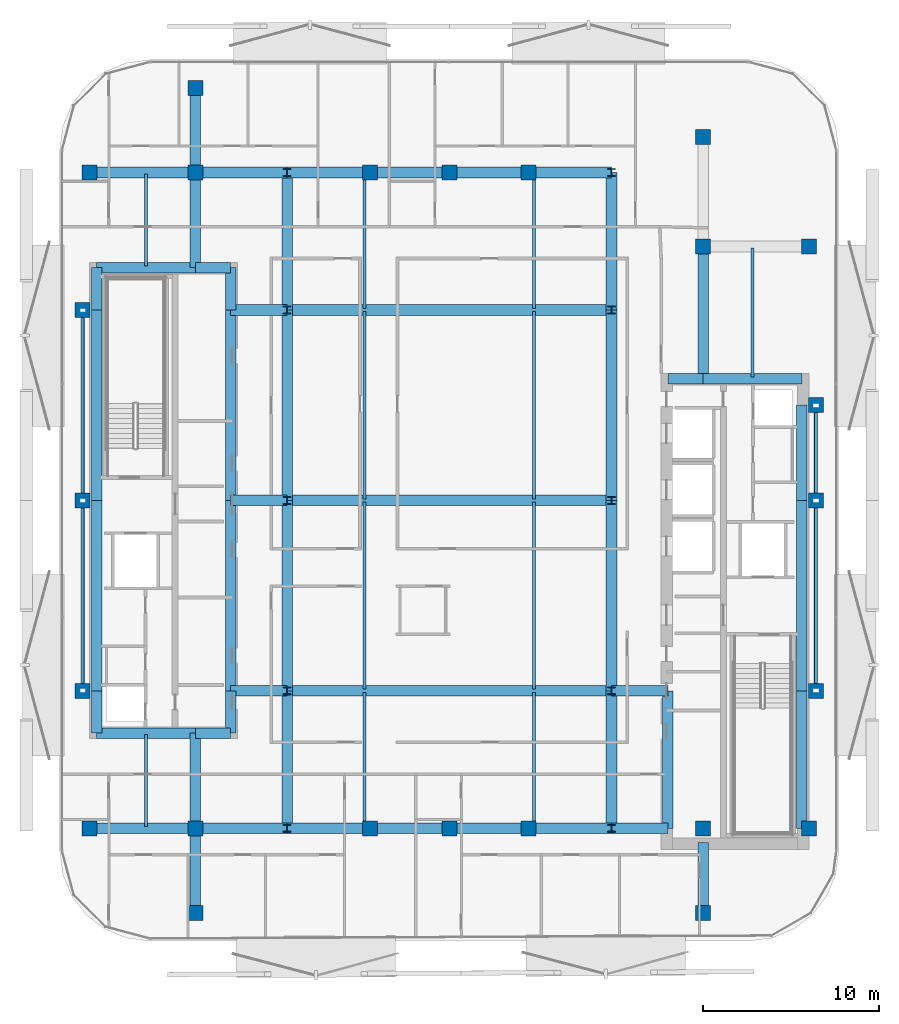
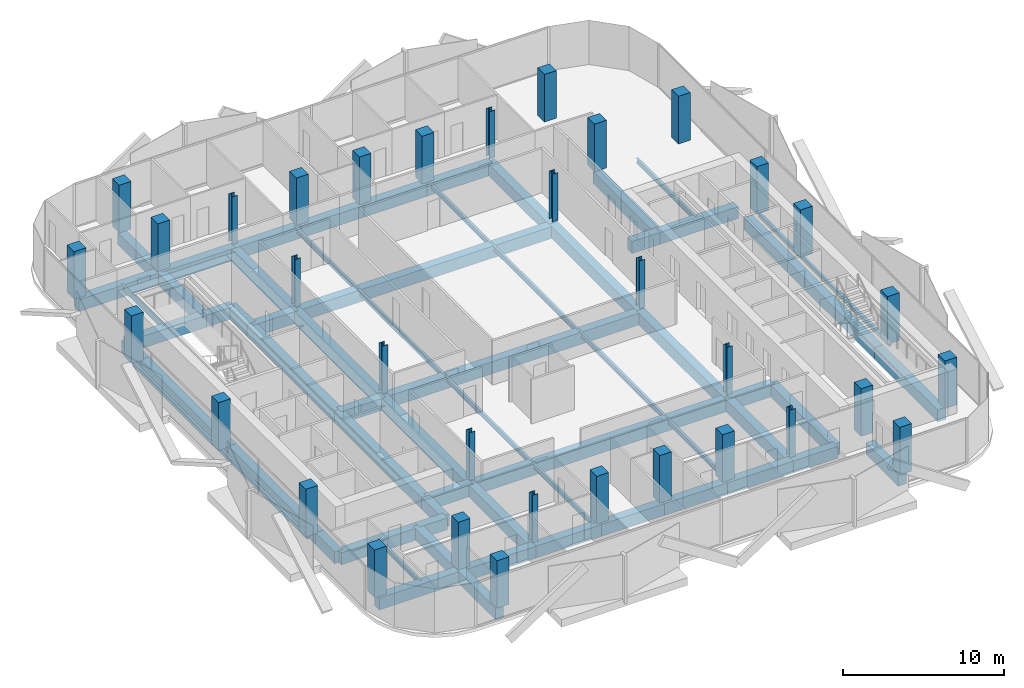
# One storey, part 1 of 14: 67 beams, 34 columns.
"""IFC4 building model written with IfcOpenShell, lengths in metres."""

from ifc_helpers import new_model, si_unit, direction, frame, origin, origin_2d, place, context, subcontext, project, spatial, rectangle, hollow_rectangle, i_section, extrude, material, material_profile, profile_set, type_object, element, save


model = new_model("IFC4")

# Units and contexts
model_context = context("Model", 3, precision=1e-05, world=origin(), true_north=direction((0.0, 1.0)))
body_context = subcontext(model_context, "Body", "Model", "MODEL_VIEW")
ifc_project = project(units=[si_unit("LENGTHUNIT", "METRE"), si_unit("AREAUNIT", "SQUARE_METRE"), si_unit("VOLUMEUNIT", "CUBIC_METRE"), si_unit("PLANEANGLEUNIT", "RADIAN"), si_unit("MASSUNIT", "GRAM", prefix="KILO")], contexts=[model_context])

# Site, building, storey
site_placement = place(None, origin())
site = spatial("IfcSite", under=ifc_project, at=site_placement, CompositionType="ELEMENT")
building_placement = place(site_placement, origin())
building = spatial("IfcBuilding", under=site, at=building_placement, Name="Khairoan Windgate Tower", CompositionType="ELEMENT")
storey_placement = place(building_placement, frame((0.0, 0.0, 233.199951171875)))
storey = spatial("IfcBuildingStorey", under=building, at=storey_placement, Name="L54", CompositionType="ELEMENT", Elevation=233.199951171875)

# Columns
ifc_material_1 = material(Name="Concrete C50/60", Category="concrete")
ifc_material_profile_1 = material_profile(ifc_material_1, rectangle(XDim=0.85009765625, YDim=0.85009765625, at=origin_2d()))
ifc_profile_set_1 = profile_set([ifc_material_profile_1], Name="Concrete C50/60")
column_type_1 = type_object("IfcColumnType", Name="Column C-T5 RC850x850", PredefinedType="COLUMN", material=ifc_profile_set_1)
for number, where, z_axis, x_axis, name in (
    (1, (-20.39990234375, -18.60009765625, 0.0), (0.0, 0.0, 1.0), (1.0, 0.0, 0.0), "Column L54-11"),
    (2, (-20.39990234375, 18.60009765625, 0.0), (0.0, 0.0, 1.0), (1.0, 0.0, 0.0), "Column L54-12"),
    (3, (20.39990234375, -18.60009765625, 0.0), (0.0, 0.0, 1.0), (1.0, 0.0, 0.0), "Column L54-13"),
    (4, (20.39990234375, 14.39990234375, 0.0), (0.0, 0.0, 1.0), (1.0, 0.0, 0.0), "Column L54-14"),
    (5, (-14.39990234375, -18.60009765625, 0.0), (0.0, 0.0, 1.0), (1.0, 0.0, 0.0), "Column L54-15"),
    (6, (-14.39990234375, 18.60009765625, 0.0), (0.0, 0.0, 1.0), (1.0, 0.0, 0.0), "Column L54-16"),
    (7, (14.39990234375, -18.60009765625, 0.0), (0.0, 0.0, 1.0), (1.0, 0.0, 0.0), "Column L54-17"),
    (8, (14.39990234375, 14.39990234375, 0.0), (0.0, 0.0, 1.0), (1.0, 0.0, 0.0), "Column L54-18"),
    (9, (-4.5, -18.60009765625, 0.0), (0.0, 0.0, 1.0), (1.0, 0.0, 0.0), "Column L54-19"),
    (10, (0.0, -18.60009765625, 0.0), (0.0, 0.0, 1.0), (1.0, 0.0, 0.0), "Column L54-20"),
    (11, (4.5, -18.60009765625, 0.0), (0.0, 0.0, 1.0), (1.0, 0.0, 0.0), "Column L54-21"),
    (12, (-4.5, 18.60009765625, 0.0), (0.0, 0.0, 1.0), (1.0, 0.0, 0.0), "Column L54-22"),
    (13, (0.0, 18.60009765625, 0.0), (0.0, 0.0, 1.0), (1.0, 0.0, 0.0), "Column L54-23"),
    (14, (4.5, 18.60009765625, 0.0), (0.0, 0.0, 1.0), (1.0, 0.0, 0.0), "Column L54-24"),
    (15, (-20.800048828125, -10.800048828125, 0.0), (0.0, 0.0, 1.0), (1.0, 0.0, 0.0), "Column L54-25"),
    (16, (-20.800048828125, 0.0, 0.0), (0.0, 0.0, 1.0), (1.0, 0.0, 0.0), "Column L54-26"),
    (17, (-20.800048828125, 10.800048828125, 0.0), (0.0, 0.0, 1.0), (1.0, 0.0, 0.0), "Column L54-27"),
    (18, (20.800048828125, -10.800048828125, 0.0), (0.0, 0.0, 1.0), (1.0, 0.0, 0.0), "Column L54-28"),
    (19, (20.800048828125, 0.0, 0.0), (0.0, 0.0, 1.0), (1.0, 0.0, 0.0), "Column L54-29"),
    (20, (20.800048828125, 5.39990234375, 0.0), (0.0, 0.0, 1.0), (1.0, 0.0, 0.0), "Column L54-30"),
    (21, (-14.39990234375, -23.39990234375, 0.0), (0.0, 0.0, 1.0), (1.0, 0.0, 0.0), "Column L54-31"),
    (22, (-14.39990234375, 23.39990234375, 0.0), (0.0, 0.0, 1.0), (1.0, 0.0, 0.0), "Column L54-32"),
    (23, (14.39990234375, -23.39990234375, 0.0), (0.0, 0.0, 1.0), (1.0, 0.0, 0.0), "Column L54-33"),
    (24, (14.39990234375, 20.60009765625, 0.0), (0.0, 0.0, 1.0), (1.0, 0.0, 0.0), "Column L54-34"),
):
    element("IfcColumn", number, at=place(storey_placement, frame(where, z_axis=z_axis, x_axis=x_axis)), inside=storey, type_object=column_type_1, Name=name, PredefinedType="COLUMN", context=body_context, shape_type="SweptSolid", body=[
        extrude(rectangle(XDim=0.85009765625, YDim=0.85009765625, at=origin_2d()), origin(), (0.0, 0.0, 1.0), 3.60009765625),
    ])
ifc_material_2 = material(Name="Steel S355", Category="steel")
ifc_material_profile_2 = material_profile(ifc_material_2, i_section(OverallWidth=0.406982421875, OverallDepth=0.427978515625, WebThickness=0.02001953125, FlangeThickness=0.034912109375, FilletRadius=0.02197265625, at=origin_2d()))
ifc_profile_set_2 = profile_set([ifc_material_profile_2], Name="Steel S355")
column_type_2 = type_object("IfcColumnType", Name="Steel Column SC3 H428x407x20x35", PredefinedType="COLUMN", material=ifc_profile_set_2)
for number, where, z_axis, x_axis, name in (
    (25, (-9.199951171875, -18.60009765625, 0.0), (0.0, 0.0, 1.0), (1.0, 0.0, 0.0), "Column L54-01"),
    (26, (-9.199951171875, -10.800048828125, 0.0), (0.0, 0.0, 1.0), (1.0, 0.0, 0.0), "Column L54-02"),
    (27, (-9.199951171875, 0.0, 0.0), (0.0, 0.0, 1.0), (1.0, 0.0, 0.0), "Column L54-03"),
    (28, (-9.199951171875, 10.800048828125, 0.0), (0.0, 0.0, 1.0), (1.0, 0.0, 0.0), "Column L54-04"),
    (29, (-9.199951171875, 18.60009765625, 0.0), (0.0, 0.0, 1.0), (1.0, 0.0, 0.0), "Column L54-05"),
    (30, (9.199951171875, -18.60009765625, 0.0), (0.0, 0.0, 1.0), (1.0, 0.0, 0.0), "Column L54-06"),
    (31, (9.199951171875, -10.800048828125, 0.0), (0.0, 0.0, 1.0), (1.0, 0.0, 0.0), "Column L54-07"),
    (32, (9.199951171875, 0.0, 0.0), (0.0, 0.0, 1.0), (1.0, 0.0, 0.0), "Column L54-08"),
    (33, (9.199951171875, 10.800048828125, 0.0), (0.0, 0.0, 1.0), (1.0, 0.0, 0.0), "Column L54-09"),
    (34, (9.199951171875, 18.60009765625, 0.0), (0.0, 0.0, 1.0), (1.0, 0.0, 0.0), "Column L54-10"),
):
    element("IfcColumn", number, at=place(storey_placement, frame(where, z_axis=z_axis, x_axis=x_axis)), inside=storey, type_object=column_type_2, Name=name, PredefinedType="COLUMN", context=body_context, shape_type="SweptSolid", body=[
        extrude(i_section(OverallWidth=0.406982421875, OverallDepth=0.427978515625, WebThickness=0.02001953125, FlangeThickness=0.034912109375, FilletRadius=0.02197265625, at=origin_2d()), origin(), (0.0, 0.0, 1.0), 3.60009765625),
    ])

# Beams
ifc_material_3 = material(Name="Concrete C50/60", Category="concrete")
ifc_material_profile_3 = material_profile(ifc_material_3, rectangle(XDim=0.60009765625, YDim=0.89990234375, at=origin_2d()))
ifc_profile_set_3 = profile_set([ifc_material_profile_3], Name="Concrete C50/60")
beam_type_1 = type_object("IfcBeamType", Name="Beam B-RC1 RC600x900", PredefinedType="BEAM", material=ifc_profile_set_3)
beam_1_placement = place(storey_placement, frame((-20.39990234375, -18.60009765625, -0.7099609375), z_axis=(1.0, 0.0, 0.0), x_axis=(0.0, 1.0, 0.0)))
element("IfcBeam", 35, at=beam_1_placement, inside=storey, type_object=beam_type_1, Name="L54 E-W Primary Girder 01", PredefinedType="BEAM", context=body_context, shape_type="SweptSolid", body=[
    extrude(rectangle(XDim=0.60009765625, YDim=0.89990234375, at=origin_2d()), origin(), (0.0, 0.0, 1.0), 6.0),
])
beam_2_placement = place(storey_placement, frame((-14.39990234375, -18.60009765625, -0.7099609375), z_axis=(1.0, 0.0, 0.0), x_axis=(0.0, 1.0, 0.0)))
element("IfcBeam", 36, at=beam_2_placement, inside=storey, type_object=beam_type_1, Name="L54 E-W Primary Girder 02", PredefinedType="BEAM", context=body_context, shape_type="SweptSolid", body=[
    extrude(rectangle(XDim=0.60009765625, YDim=0.89990234375, at=origin_2d()), origin(), (0.0, 0.0, 1.0), 5.199951171875),
])
beam_3_placement = place(storey_placement, frame((-9.199951171875, -18.60009765625, -0.7099609375), z_axis=(1.0, 0.0, 0.0), x_axis=(0.0, 1.0, 0.0)))
element("IfcBeam", 37, at=beam_3_placement, inside=storey, type_object=beam_type_1, Name="L54 E-W Primary Girder 03", PredefinedType="BEAM", context=body_context, shape_type="SweptSolid", body=[
    extrude(rectangle(XDim=0.60009765625, YDim=0.89990234375, at=origin_2d()), origin(), (0.0, 0.0, 1.0), 4.699951171875),
])
for number, where, z_axis, x_axis, name in (
    (38, (-4.5, -18.60009765625, -0.7099609375), (1.0, 0.0, 0.0), (0.0, 1.0, 0.0), "L54 E-W Primary Girder 04"),
    (39, (0.0, -18.60009765625, -0.7099609375), (1.0, 0.0, 0.0), (0.0, 1.0, 0.0), "L54 E-W Primary Girder 05"),
):
    element("IfcBeam", number, at=place(storey_placement, frame(where, z_axis=z_axis, x_axis=x_axis)), inside=storey, type_object=beam_type_1, Name=name, PredefinedType="BEAM", context=body_context, shape_type="SweptSolid", body=[
        extrude(rectangle(XDim=0.60009765625, YDim=0.89990234375, at=origin_2d()), origin(), (0.0, 0.0, 1.0), 4.5),
    ])
beam_4_placement = place(storey_placement, frame((4.5, -18.60009765625, -0.7099609375), z_axis=(1.0, 0.0, 0.0), x_axis=(0.0, 1.0, 0.0)))
element("IfcBeam", 40, at=beam_4_placement, inside=storey, type_object=beam_type_1, Name="L54 E-W Primary Girder 06", PredefinedType="BEAM", context=body_context, shape_type="SweptSolid", body=[
    extrude(rectangle(XDim=0.60009765625, YDim=0.89990234375, at=origin_2d()), origin(), (0.0, 0.0, 1.0), 4.699951171875),
])
beam_5_placement = place(storey_placement, frame((9.199951171875, -18.60009765625, -0.7099609375), z_axis=(1.0, 0.0, 0.0), x_axis=(0.0, 1.0, 0.0)))
element("IfcBeam", 41, at=beam_5_placement, inside=storey, type_object=beam_type_1, Name="L54 E-W Primary Girder 07", PredefinedType="BEAM", context=body_context, shape_type="SweptSolid", body=[
    extrude(rectangle(XDim=0.60009765625, YDim=0.89990234375, at=origin_2d()), origin(), (0.0, 0.0, 1.0), 3.199951171875),
])
beam_6_placement = place(storey_placement, frame((-20.0, -13.199951171875, -0.7099609375), z_axis=(1.0, 0.0, 0.0), x_axis=(0.0, 1.0, 0.0)))
element("IfcBeam", 42, at=beam_6_placement, inside=storey, type_object=beam_type_1, Name="L54 E-W Primary Girder 08", PredefinedType="BEAM", context=body_context, shape_type="SweptSolid", body=[
    extrude(rectangle(XDim=0.60009765625, YDim=0.89990234375, at=origin_2d()), origin(), (0.0, 0.0, 1.0), 5.60009765625),
])
beam_7_placement = place(storey_placement, frame((-14.39990234375, -13.199951171875, -0.7099609375), z_axis=(1.0, 0.0, 0.0), x_axis=(0.0, 1.0, 0.0)))
element("IfcBeam", 43, at=beam_7_placement, inside=storey, type_object=beam_type_1, Name="L54 E-W Primary Girder 09", PredefinedType="BEAM", context=body_context, shape_type="SweptSolid", body=[
    extrude(rectangle(XDim=0.60009765625, YDim=0.89990234375, at=origin_2d()), origin(), (0.0, 0.0, 1.0), 2.0),
])
beam_8_placement = place(storey_placement, frame((-12.39990234375, -10.800048828125, -0.7099609375), z_axis=(1.0, 0.0, 0.0), x_axis=(0.0, 1.0, 0.0)))
element("IfcBeam", 44, at=beam_8_placement, inside=storey, type_object=beam_type_1, Name="L54 E-W Primary Girder 10", PredefinedType="BEAM", context=body_context, shape_type="SweptSolid", body=[
    extrude(rectangle(XDim=0.60009765625, YDim=0.89990234375, at=origin_2d()), origin(), (0.0, 0.0, 1.0), 3.199951171875),
])
beam_9_placement = place(storey_placement, frame((-9.199951171875, -10.800048828125, -0.7099609375), z_axis=(1.0, 0.0, 0.0), x_axis=(0.0, 1.0, 0.0)))
element("IfcBeam", 45, at=beam_9_placement, inside=storey, type_object=beam_type_1, Name="L54 E-W Primary Girder 11", PredefinedType="BEAM", context=body_context, shape_type="SweptSolid", body=[
    extrude(rectangle(XDim=0.60009765625, YDim=0.89990234375, at=origin_2d()), origin(), (0.0, 0.0, 1.0), 18.39990234375),
])
for number, where, z_axis, x_axis, name in (
    (46, (9.199951171875, -10.800048828125, -0.7099609375), (1.0, 0.0, 0.0), (0.0, 1.0, 0.0), "L54 E-W Primary Girder 12"),
    (47, (-12.39990234375, 0.0, -0.7099609375), (1.0, 0.0, 0.0), (0.0, 1.0, 0.0), "L54 E-W Primary Girder 13"),
):
    element("IfcBeam", number, at=place(storey_placement, frame(where, z_axis=z_axis, x_axis=x_axis)), inside=storey, type_object=beam_type_1, Name=name, PredefinedType="BEAM", context=body_context, shape_type="SweptSolid", body=[
        extrude(rectangle(XDim=0.60009765625, YDim=0.89990234375, at=origin_2d()), origin(), (0.0, 0.0, 1.0), 3.199951171875),
    ])
beam_10_placement = place(storey_placement, frame((-9.199951171875, 0.0, -0.7099609375), z_axis=(1.0, 0.0, 0.0), x_axis=(0.0, 1.0, 0.0)))
element("IfcBeam", 48, at=beam_10_placement, inside=storey, type_object=beam_type_1, Name="L54 E-W Primary Girder 14", PredefinedType="BEAM", context=body_context, shape_type="SweptSolid", body=[
    extrude(rectangle(XDim=0.60009765625, YDim=0.89990234375, at=origin_2d()), origin(), (0.0, 0.0, 1.0), 18.39990234375),
])
beam_11_placement = place(storey_placement, frame((12.39990234375, 6.89990234375, -0.7099609375), z_axis=(1.0, 0.0, 0.0), x_axis=(0.0, 1.0, 0.0)))
element("IfcBeam", 49, at=beam_11_placement, inside=storey, type_object=beam_type_1, Name="L54 E-W Primary Girder 15", PredefinedType="BEAM", context=body_context, shape_type="SweptSolid", body=[
    extrude(rectangle(XDim=0.60009765625, YDim=0.89990234375, at=origin_2d()), origin(), (0.0, 0.0, 1.0), 2.0),
])
beam_12_placement = place(storey_placement, frame((14.39990234375, 6.89990234375, -0.7099609375), z_axis=(1.0, 0.0, 0.0), x_axis=(0.0, 1.0, 0.0)))
element("IfcBeam", 50, at=beam_12_placement, inside=storey, type_object=beam_type_1, Name="L54 E-W Primary Girder 16", PredefinedType="BEAM", context=body_context, shape_type="SweptSolid", body=[
    extrude(rectangle(XDim=0.60009765625, YDim=0.89990234375, at=origin_2d()), origin(), (0.0, 0.0, 1.0), 5.60009765625),
])
beam_13_placement = place(storey_placement, frame((-12.39990234375, 10.800048828125, -0.7099609375), z_axis=(1.0, 0.0, 0.0), x_axis=(0.0, 1.0, 0.0)))
element("IfcBeam", 51, at=beam_13_placement, inside=storey, type_object=beam_type_1, Name="L54 E-W Primary Girder 17", PredefinedType="BEAM", context=body_context, shape_type="SweptSolid", body=[
    extrude(rectangle(XDim=0.60009765625, YDim=0.89990234375, at=origin_2d()), origin(), (0.0, 0.0, 1.0), 3.199951171875),
])
beam_14_placement = place(storey_placement, frame((-9.199951171875, 10.800048828125, -0.7099609375), z_axis=(1.0, 0.0, 0.0), x_axis=(0.0, 1.0, 0.0)))
element("IfcBeam", 52, at=beam_14_placement, inside=storey, type_object=beam_type_1, Name="L54 E-W Primary Girder 18", PredefinedType="BEAM", context=body_context, shape_type="SweptSolid", body=[
    extrude(rectangle(XDim=0.60009765625, YDim=0.89990234375, at=origin_2d()), origin(), (0.0, 0.0, 1.0), 18.39990234375),
])
beam_15_placement = place(storey_placement, frame((-20.0, 13.199951171875, -0.7099609375), z_axis=(1.0, 0.0, 0.0), x_axis=(0.0, 1.0, 0.0)))
element("IfcBeam", 53, at=beam_15_placement, inside=storey, type_object=beam_type_1, Name="L54 E-W Primary Girder 19", PredefinedType="BEAM", context=body_context, shape_type="SweptSolid", body=[
    extrude(rectangle(XDim=0.60009765625, YDim=0.89990234375, at=origin_2d()), origin(), (0.0, 0.0, 1.0), 5.60009765625),
])
beam_16_placement = place(storey_placement, frame((-14.39990234375, 13.199951171875, -0.7099609375), z_axis=(1.0, 0.0, 0.0), x_axis=(0.0, 1.0, 0.0)))
element("IfcBeam", 54, at=beam_16_placement, inside=storey, type_object=beam_type_1, Name="L54 E-W Primary Girder 20", PredefinedType="BEAM", context=body_context, shape_type="SweptSolid", body=[
    extrude(rectangle(XDim=0.60009765625, YDim=0.89990234375, at=origin_2d()), origin(), (0.0, 0.0, 1.0), 2.0),
])
beam_17_placement = place(storey_placement, frame((-20.39990234375, 18.60009765625, -0.7099609375), z_axis=(1.0, 0.0, 0.0), x_axis=(0.0, 1.0, 0.0)))
element("IfcBeam", 55, at=beam_17_placement, inside=storey, type_object=beam_type_1, Name="L54 E-W Primary Girder 22", PredefinedType="BEAM", context=body_context, shape_type="SweptSolid", body=[
    extrude(rectangle(XDim=0.60009765625, YDim=0.89990234375, at=origin_2d()), origin(), (0.0, 0.0, 1.0), 6.0),
])
beam_18_placement = place(storey_placement, frame((-14.39990234375, 18.60009765625, -0.7099609375), z_axis=(1.0, 0.0, 0.0), x_axis=(0.0, 1.0, 0.0)))
element("IfcBeam", 56, at=beam_18_placement, inside=storey, type_object=beam_type_1, Name="L54 E-W Primary Girder 23", PredefinedType="BEAM", context=body_context, shape_type="SweptSolid", body=[
    extrude(rectangle(XDim=0.60009765625, YDim=0.89990234375, at=origin_2d()), origin(), (0.0, 0.0, 1.0), 5.199951171875),
])
beam_19_placement = place(storey_placement, frame((-9.199951171875, 18.60009765625, -0.7099609375), z_axis=(1.0, 0.0, 0.0), x_axis=(0.0, 1.0, 0.0)))
element("IfcBeam", 57, at=beam_19_placement, inside=storey, type_object=beam_type_1, Name="L54 E-W Primary Girder 24", PredefinedType="BEAM", context=body_context, shape_type="SweptSolid", body=[
    extrude(rectangle(XDim=0.60009765625, YDim=0.89990234375, at=origin_2d()), origin(), (0.0, 0.0, 1.0), 4.699951171875),
])
for number, where, z_axis, x_axis, name in (
    (58, (-4.5, 18.60009765625, -0.7099609375), (1.0, 0.0, 0.0), (0.0, 1.0, 0.0), "L54 E-W Primary Girder 25"),
    (59, (0.0, 18.60009765625, -0.7099609375), (1.0, 0.0, 0.0), (0.0, 1.0, 0.0), "L54 E-W Primary Girder 26"),
):
    element("IfcBeam", number, at=place(storey_placement, frame(where, z_axis=z_axis, x_axis=x_axis)), inside=storey, type_object=beam_type_1, Name=name, PredefinedType="BEAM", context=body_context, shape_type="SweptSolid", body=[
        extrude(rectangle(XDim=0.60009765625, YDim=0.89990234375, at=origin_2d()), origin(), (0.0, 0.0, 1.0), 4.5),
    ])
beam_20_placement = place(storey_placement, frame((4.5, 18.60009765625, -0.7099609375), z_axis=(1.0, 0.0, 0.0), x_axis=(0.0, 1.0, 0.0)))
element("IfcBeam", 60, at=beam_20_placement, inside=storey, type_object=beam_type_1, Name="L54 E-W Primary Girder 27", PredefinedType="BEAM", context=body_context, shape_type="SweptSolid", body=[
    extrude(rectangle(XDim=0.60009765625, YDim=0.89990234375, at=origin_2d()), origin(), (0.0, 0.0, 1.0), 4.699951171875),
])
beam_21_placement = place(storey_placement, frame((-20.0, -13.199951171875, -0.7099609375), z_axis=(0.0, 1.0, 0.0), x_axis=(-1.0, 0.0, 0.0)))
element("IfcBeam", 61, at=beam_21_placement, inside=storey, type_object=beam_type_1, Name="L54 N-S Primary Beam 30", PredefinedType="BEAM", context=body_context, shape_type="SweptSolid", body=[
    extrude(rectangle(XDim=0.60009765625, YDim=0.89990234375, at=origin_2d()), origin(), (0.0, 0.0, 1.0), 2.39990234375),
])
for number, where, z_axis, x_axis, name in (
    (62, (-20.0, -10.800048828125, -0.7099609375), (0.0, 1.0, 0.0), (-1.0, 0.0, 0.0), "L54 N-S Primary Beam 31"),
    (63, (-20.0, 0.0, -0.7099609375), (0.0, 1.0, 0.0), (-1.0, 0.0, 0.0), "L54 N-S Primary Beam 32"),
):
    element("IfcBeam", number, at=place(storey_placement, frame(where, z_axis=z_axis, x_axis=x_axis)), inside=storey, type_object=beam_type_1, Name=name, PredefinedType="BEAM", context=body_context, shape_type="SweptSolid", body=[
        extrude(rectangle(XDim=0.60009765625, YDim=0.89990234375, at=origin_2d()), origin(), (0.0, 0.0, 1.0), 10.800048828125),
    ])
beam_22_placement = place(storey_placement, frame((-20.0, 10.800048828125, -0.7099609375), z_axis=(0.0, 1.0, 0.0), x_axis=(-1.0, 0.0, 0.0)))
element("IfcBeam", 64, at=beam_22_placement, inside=storey, type_object=beam_type_1, Name="L54 N-S Primary Beam 33", PredefinedType="BEAM", context=body_context, shape_type="SweptSolid", body=[
    extrude(rectangle(XDim=0.60009765625, YDim=0.89990234375, at=origin_2d()), origin(), (0.0, 0.0, 1.0), 2.39990234375),
])
beam_23_placement = place(storey_placement, frame((-14.39990234375, -23.39990234375, -0.7099609375), z_axis=(0.0, 1.0, 0.0), x_axis=(-1.0, 0.0, 0.0)))
element("IfcBeam", 65, at=beam_23_placement, inside=storey, type_object=beam_type_1, Name="L54 N-S Primary Beam 34", PredefinedType="BEAM", context=body_context, shape_type="SweptSolid", body=[
    extrude(rectangle(XDim=0.60009765625, YDim=0.89990234375, at=origin_2d()), origin(), (0.0, 0.0, 1.0), 4.7998046875),
])
for number, where, z_axis, x_axis, name in (
    (66, (-14.39990234375, -18.60009765625, -0.7099609375), (0.0, 1.0, 0.0), (-1.0, 0.0, 0.0), "L54 N-S Primary Beam 35"),
    (67, (-14.39990234375, 13.199951171875, -0.7099609375), (0.0, 1.0, 0.0), (-1.0, 0.0, 0.0), "L54 N-S Primary Beam 36"),
):
    element("IfcBeam", number, at=place(storey_placement, frame(where, z_axis=z_axis, x_axis=x_axis)), inside=storey, type_object=beam_type_1, Name=name, PredefinedType="BEAM", context=body_context, shape_type="SweptSolid", body=[
        extrude(rectangle(XDim=0.60009765625, YDim=0.89990234375, at=origin_2d()), origin(), (0.0, 0.0, 1.0), 5.400146484375),
    ])
beam_24_placement = place(storey_placement, frame((-14.39990234375, 18.60009765625, -0.7099609375), z_axis=(0.0, 1.0, 0.0), x_axis=(-1.0, 0.0, 0.0)))
element("IfcBeam", 68, at=beam_24_placement, inside=storey, type_object=beam_type_1, Name="L54 N-S Primary Beam 37", PredefinedType="BEAM", context=body_context, shape_type="SweptSolid", body=[
    extrude(rectangle(XDim=0.60009765625, YDim=0.89990234375, at=origin_2d()), origin(), (0.0, 0.0, 1.0), 4.7998046875),
])
beam_25_placement = place(storey_placement, frame((-12.39990234375, -13.199951171875, -0.7099609375), z_axis=(0.0, 1.0, 0.0), x_axis=(-1.0, 0.0, 0.0)))
element("IfcBeam", 69, at=beam_25_placement, inside=storey, type_object=beam_type_1, Name="L54 N-S Primary Beam 38", PredefinedType="BEAM", context=body_context, shape_type="SweptSolid", body=[
    extrude(rectangle(XDim=0.60009765625, YDim=0.89990234375, at=origin_2d()), origin(), (0.0, 0.0, 1.0), 2.39990234375),
])
for number, where, z_axis, x_axis, name in (
    (70, (-12.39990234375, -10.800048828125, -0.7099609375), (0.0, 1.0, 0.0), (-1.0, 0.0, 0.0), "L54 N-S Primary Beam 39"),
    (71, (-12.39990234375, 0.0, -0.7099609375), (0.0, 1.0, 0.0), (-1.0, 0.0, 0.0), "L54 N-S Primary Beam 40"),
):
    element("IfcBeam", number, at=place(storey_placement, frame(where, z_axis=z_axis, x_axis=x_axis)), inside=storey, type_object=beam_type_1, Name=name, PredefinedType="BEAM", context=body_context, shape_type="SweptSolid", body=[
        extrude(rectangle(XDim=0.60009765625, YDim=0.89990234375, at=origin_2d()), origin(), (0.0, 0.0, 1.0), 10.800048828125),
    ])
beam_26_placement = place(storey_placement, frame((-12.39990234375, 10.800048828125, -0.7099609375), z_axis=(0.0, 1.0, 0.0), x_axis=(-1.0, 0.0, 0.0)))
element("IfcBeam", 72, at=beam_26_placement, inside=storey, type_object=beam_type_1, Name="L54 N-S Primary Beam 41", PredefinedType="BEAM", context=body_context, shape_type="SweptSolid", body=[
    extrude(rectangle(XDim=0.60009765625, YDim=0.89990234375, at=origin_2d()), origin(), (0.0, 0.0, 1.0), 2.39990234375),
])
beam_27_placement = place(storey_placement, frame((-9.199951171875, -18.60009765625, -0.7099609375), z_axis=(0.0, 1.0, 0.0), x_axis=(-1.0, 0.0, 0.0)))
element("IfcBeam", 73, at=beam_27_placement, inside=storey, type_object=beam_type_1, Name="L54 N-S Primary Beam 42", PredefinedType="BEAM", context=body_context, shape_type="SweptSolid", body=[
    extrude(rectangle(XDim=0.60009765625, YDim=0.89990234375, at=origin_2d()), origin(), (0.0, 0.0, 1.0), 7.800048828125),
])
for number, where, z_axis, x_axis, name in (
    (74, (-9.199951171875, -10.800048828125, -0.7099609375), (0.0, 1.0, 0.0), (-1.0, 0.0, 0.0), "L54 N-S Primary Beam 43"),
    (75, (-9.199951171875, 0.0, -0.7099609375), (0.0, 1.0, 0.0), (-1.0, 0.0, 0.0), "L54 N-S Primary Beam 44"),
):
    element("IfcBeam", number, at=place(storey_placement, frame(where, z_axis=z_axis, x_axis=x_axis)), inside=storey, type_object=beam_type_1, Name=name, PredefinedType="BEAM", context=body_context, shape_type="SweptSolid", body=[
        extrude(rectangle(XDim=0.60009765625, YDim=0.89990234375, at=origin_2d()), origin(), (0.0, 0.0, 1.0), 10.800048828125),
    ])
for number, where, z_axis, x_axis, name in (
    (76, (-9.199951171875, 10.800048828125, -0.7099609375), (0.0, 1.0, 0.0), (-1.0, 0.0, 0.0), "L54 N-S Primary Beam 45"),
    (77, (9.199951171875, -18.60009765625, -0.7099609375), (0.0, 1.0, 0.0), (-1.0, 0.0, 0.0), "L54 N-S Primary Beam 46"),
):
    element("IfcBeam", number, at=place(storey_placement, frame(where, z_axis=z_axis, x_axis=x_axis)), inside=storey, type_object=beam_type_1, Name=name, PredefinedType="BEAM", context=body_context, shape_type="SweptSolid", body=[
        extrude(rectangle(XDim=0.60009765625, YDim=0.89990234375, at=origin_2d()), origin(), (0.0, 0.0, 1.0), 7.800048828125),
    ])
for number, where, z_axis, x_axis, name in (
    (78, (9.199951171875, -10.800048828125, -0.7099609375), (0.0, 1.0, 0.0), (-1.0, 0.0, 0.0), "L54 N-S Primary Beam 47"),
    (79, (9.199951171875, 0.0, -0.7099609375), (0.0, 1.0, 0.0), (-1.0, 0.0, 0.0), "L54 N-S Primary Beam 48"),
):
    element("IfcBeam", number, at=place(storey_placement, frame(where, z_axis=z_axis, x_axis=x_axis)), inside=storey, type_object=beam_type_1, Name=name, PredefinedType="BEAM", context=body_context, shape_type="SweptSolid", body=[
        extrude(rectangle(XDim=0.60009765625, YDim=0.89990234375, at=origin_2d()), origin(), (0.0, 0.0, 1.0), 10.800048828125),
    ])
for number, where, z_axis, x_axis, name in (
    (80, (9.199951171875, 10.800048828125, -0.7099609375), (0.0, 1.0, 0.0), (-1.0, 0.0, 0.0), "L54 N-S Primary Beam 49"),
    (81, (12.39990234375, -18.60009765625, -0.7099609375), (0.0, 1.0, 0.0), (-1.0, 0.0, 0.0), "L54 N-S Primary Beam 50"),
):
    element("IfcBeam", number, at=place(storey_placement, frame(where, z_axis=z_axis, x_axis=x_axis)), inside=storey, type_object=beam_type_1, Name=name, PredefinedType="BEAM", context=body_context, shape_type="SweptSolid", body=[
        extrude(rectangle(XDim=0.60009765625, YDim=0.89990234375, at=origin_2d()), origin(), (0.0, 0.0, 1.0), 7.800048828125),
    ])
beam_28_placement = place(storey_placement, frame((14.39990234375, -23.39990234375, -0.7099609375), z_axis=(0.0, 1.0, 0.0), x_axis=(-1.0, 0.0, 0.0)))
element("IfcBeam", 82, at=beam_28_placement, inside=storey, type_object=beam_type_1, Name="L54 N-S Primary Beam 51", PredefinedType="BEAM", context=body_context, shape_type="SweptSolid", body=[
    extrude(rectangle(XDim=0.60009765625, YDim=0.89990234375, at=origin_2d()), origin(), (0.0, 0.0, 1.0), 4.0),
])
beam_29_placement = place(storey_placement, frame((14.39990234375, 6.89990234375, -0.7099609375), z_axis=(0.0, 1.0, 0.0), x_axis=(-1.0, 0.0, 0.0)))
element("IfcBeam", 83, at=beam_29_placement, inside=storey, type_object=beam_type_1, Name="L54 N-S Primary Beam 52", PredefinedType="BEAM", context=body_context, shape_type="SweptSolid", body=[
    extrude(rectangle(XDim=0.60009765625, YDim=0.89990234375, at=origin_2d()), origin(), (0.0, 0.0, 1.0), 7.5),
])
beam_30_placement = place(storey_placement, frame((20.0, -18.60009765625, -0.7099609375), z_axis=(0.0, 1.0, 0.0), x_axis=(-1.0, 0.0, 0.0)))
element("IfcBeam", 84, at=beam_30_placement, inside=storey, type_object=beam_type_1, Name="L54 N-S Primary Beam 54", PredefinedType="BEAM", context=body_context, shape_type="SweptSolid", body=[
    extrude(rectangle(XDim=0.60009765625, YDim=0.89990234375, at=origin_2d()), origin(), (0.0, 0.0, 1.0), 7.800048828125),
])
beam_31_placement = place(storey_placement, frame((20.0, -10.800048828125, -0.7099609375), z_axis=(0.0, 1.0, 0.0), x_axis=(-1.0, 0.0, 0.0)))
element("IfcBeam", 85, at=beam_31_placement, inside=storey, type_object=beam_type_1, Name="L54 N-S Primary Beam 55", PredefinedType="BEAM", context=body_context, shape_type="SweptSolid", body=[
    extrude(rectangle(XDim=0.60009765625, YDim=0.89990234375, at=origin_2d()), origin(), (0.0, 0.0, 1.0), 10.800048828125),
])
beam_32_placement = place(storey_placement, frame((20.0, 0.0, -0.7099609375), z_axis=(0.0, 1.0, 0.0), x_axis=(-1.0, 0.0, 0.0)))
element("IfcBeam", 86, at=beam_32_placement, inside=storey, type_object=beam_type_1, Name="L54 N-S Primary Beam 56", PredefinedType="BEAM", context=body_context, shape_type="SweptSolid", body=[
    extrude(rectangle(XDim=0.60009765625, YDim=0.89990234375, at=origin_2d()), origin(), (0.0, 0.0, 1.0), 5.39990234375),
])
ifc_material_4 = material(Name="Steel S355", Category="steel")
ifc_material_profile_4 = material_profile(ifc_material_4, i_section(OverallWidth=0.175048828125, OverallDepth=0.35009765625, WebThickness=0.007080078125, FlangeThickness=0.010986328125, FilletRadius=0.013916015625, at=origin_2d()))
ifc_profile_set_4 = profile_set([ifc_material_profile_4], Name="Steel S355")
beam_type_2 = type_object("IfcBeamType", Name="Beam J-S5 H350x175x7x11", PredefinedType="JOIST", material=ifc_profile_set_4)
for number, where, z_axis, x_axis, name in (
    (87, (-17.199951171875, -18.510009765625, -0.43505859375), (0.0, 1.0, 0.0), (-1.0, 0.0, 0.0), "L54 Secondary Floor Joist 01"),
    (88, (-17.199951171875, 13.2900390625, -0.43505859375), (0.0, 1.0, 0.0), (-1.0, 0.0, 0.0), "L54 Secondary Floor Joist 02"),
):
    element("IfcBeam", number, at=place(storey_placement, frame(where, z_axis=z_axis, x_axis=x_axis)), inside=storey, type_object=beam_type_2, Name=name, PredefinedType="JOIST", context=body_context, shape_type="SweptSolid", body=[
        extrude(i_section(OverallWidth=0.175048828125, OverallDepth=0.35009765625, WebThickness=0.007080078125, FlangeThickness=0.010986328125, FilletRadius=0.013916015625, at=origin_2d()), origin(), (0.0, 0.0, 1.0), 5.219970703125),
    ])
beam_33_placement = place(storey_placement, frame((-4.800048828125, -18.510009765625, -0.43505859375), z_axis=(0.0, 1.0, 0.0), x_axis=(-1.0, 0.0, 0.0)))
element("IfcBeam", 89, at=beam_33_placement, inside=storey, type_object=beam_type_2, Name="L54 Secondary Floor Joist 03", PredefinedType="JOIST", context=body_context, shape_type="SweptSolid", body=[
    extrude(i_section(OverallWidth=0.175048828125, OverallDepth=0.35009765625, WebThickness=0.007080078125, FlangeThickness=0.010986328125, FilletRadius=0.013916015625, at=origin_2d()), origin(), (0.0, 0.0, 1.0), 7.6201171875),
])
for number, where, z_axis, x_axis, name in (
    (90, (-4.800048828125, -10.7099609375, -0.43505859375), (0.0, 1.0, 0.0), (-1.0, 0.0, 0.0), "L54 Secondary Floor Joist 04"),
    (91, (-4.800048828125, 0.090087890625, -0.43505859375), (0.0, 1.0, 0.0), (-1.0, 0.0, 0.0), "L54 Secondary Floor Joist 05"),
):
    element("IfcBeam", number, at=place(storey_placement, frame(where, z_axis=z_axis, x_axis=x_axis)), inside=storey, type_object=beam_type_2, Name=name, PredefinedType="JOIST", context=body_context, shape_type="SweptSolid", body=[
        extrude(i_section(OverallWidth=0.175048828125, OverallDepth=0.35009765625, WebThickness=0.007080078125, FlangeThickness=0.010986328125, FilletRadius=0.013916015625, at=origin_2d()), origin(), (0.0, 0.0, 1.0), 10.619873046875),
    ])
for number, where, z_axis, x_axis, name in (
    (92, (-4.800048828125, 10.889892578125, -0.43505859375), (0.0, 1.0, 0.0), (-1.0, 0.0, 0.0), "L54 Secondary Floor Joist 06"),
    (93, (4.800048828125, -18.510009765625, -0.43505859375), (0.0, 1.0, 0.0), (-1.0, 0.0, 0.0), "L54 Secondary Floor Joist 07"),
):
    element("IfcBeam", number, at=place(storey_placement, frame(where, z_axis=z_axis, x_axis=x_axis)), inside=storey, type_object=beam_type_2, Name=name, PredefinedType="JOIST", context=body_context, shape_type="SweptSolid", body=[
        extrude(i_section(OverallWidth=0.175048828125, OverallDepth=0.35009765625, WebThickness=0.007080078125, FlangeThickness=0.010986328125, FilletRadius=0.013916015625, at=origin_2d()), origin(), (0.0, 0.0, 1.0), 7.6201171875),
    ])
for number, where, z_axis, x_axis, name in (
    (94, (4.800048828125, -10.7099609375, -0.43505859375), (0.0, 1.0, 0.0), (-1.0, 0.0, 0.0), "L54 Secondary Floor Joist 08"),
    (95, (4.800048828125, 0.090087890625, -0.43505859375), (0.0, 1.0, 0.0), (-1.0, 0.0, 0.0), "L54 Secondary Floor Joist 09"),
):
    element("IfcBeam", number, at=place(storey_placement, frame(where, z_axis=z_axis, x_axis=x_axis)), inside=storey, type_object=beam_type_2, Name=name, PredefinedType="JOIST", context=body_context, shape_type="SweptSolid", body=[
        extrude(i_section(OverallWidth=0.175048828125, OverallDepth=0.35009765625, WebThickness=0.007080078125, FlangeThickness=0.010986328125, FilletRadius=0.013916015625, at=origin_2d()), origin(), (0.0, 0.0, 1.0), 10.619873046875),
    ])
beam_34_placement = place(storey_placement, frame((4.800048828125, 10.889892578125, -0.43505859375), z_axis=(0.0, 1.0, 0.0), x_axis=(-1.0, 0.0, 0.0)))
element("IfcBeam", 96, at=beam_34_placement, inside=storey, type_object=beam_type_2, Name="L54 Secondary Floor Joist 10", PredefinedType="JOIST", context=body_context, shape_type="SweptSolid", body=[
    extrude(i_section(OverallWidth=0.175048828125, OverallDepth=0.35009765625, WebThickness=0.007080078125, FlangeThickness=0.010986328125, FilletRadius=0.013916015625, at=origin_2d()), origin(), (0.0, 0.0, 1.0), 7.6201171875),
])
beam_35_placement = place(storey_placement, frame((17.199951171875, 6.989990234375, -0.43505859375), z_axis=(0.0, 1.0, 0.0), x_axis=(-1.0, 0.0, 0.0)))
element("IfcBeam", 97, at=beam_35_placement, inside=storey, type_object=beam_type_2, Name="L54 Secondary Floor Joist 11", PredefinedType="JOIST", context=body_context, shape_type="SweptSolid", body=[
    extrude(i_section(OverallWidth=0.175048828125, OverallDepth=0.35009765625, WebThickness=0.007080078125, FlangeThickness=0.010986328125, FilletRadius=0.013916015625, at=origin_2d()), origin(), (0.0, 0.0, 1.0), 7.320068359375),
])
ifc_material_5 = material(Name="Steel S355", Category="steel")
ifc_material_profile_5 = material_profile(ifc_material_5, hollow_rectangle(XDim=0.199951171875, YDim=0.300048828125, WallThickness=0.012451171875, InnerFilletRadius=0.012451171875, OuterFilletRadius=0.02490234375, at=origin_2d()))
ifc_profile_set_5 = profile_set([ifc_material_profile_5], Name="Steel S355")
beam_type_3 = type_object("IfcBeamType", Name="Beam SP-B3 RHS300x200x12.5", PredefinedType="SPANDREL", material=ifc_profile_set_5)
for number, where, z_axis, x_axis, name in (
    (98, (-20.800048828125, -10.800048828125, -0.409912109375), (0.0, 1.0, 0.0), (-1.0, 0.0, 0.0), "L54 Spandrel Beam 28"),
    (99, (-20.800048828125, 0.0, -0.409912109375), (0.0, 1.0, 0.0), (-1.0, 0.0, 0.0), "L54 Spandrel Beam 29"),
    (100, (20.800048828125, -10.800048828125, -0.409912109375), (0.0, 1.0, 0.0), (-1.0, 0.0, 0.0), "L54 Spandrel Beam 57"),
):
    element("IfcBeam", number, at=place(storey_placement, frame(where, z_axis=z_axis, x_axis=x_axis)), inside=storey, type_object=beam_type_3, Name=name, PredefinedType="SPANDREL", context=body_context, shape_type="SweptSolid", body=[
        extrude(hollow_rectangle(XDim=0.199951171875, YDim=0.300048828125, WallThickness=0.012451171875, InnerFilletRadius=0.012451171875, OuterFilletRadius=0.02490234375, at=origin_2d()), origin(), (0.0, 0.0, 1.0), 10.800048828125),
    ])
beam_36_placement = place(storey_placement, frame((20.800048828125, 0.0, -0.409912109375), z_axis=(0.0, 1.0, 0.0), x_axis=(-1.0, 0.0, 0.0)))
element("IfcBeam", 101, at=beam_36_placement, inside=storey, type_object=beam_type_3, Name="L54 Spandrel Beam 58", PredefinedType="SPANDREL", context=body_context, shape_type="SweptSolid", body=[
    extrude(hollow_rectangle(XDim=0.199951171875, YDim=0.300048828125, WallThickness=0.012451171875, InnerFilletRadius=0.012451171875, OuterFilletRadius=0.02490234375, at=origin_2d()), origin(), (0.0, 0.0, 1.0), 5.39990234375),
])

save(model, "model.ifc")
